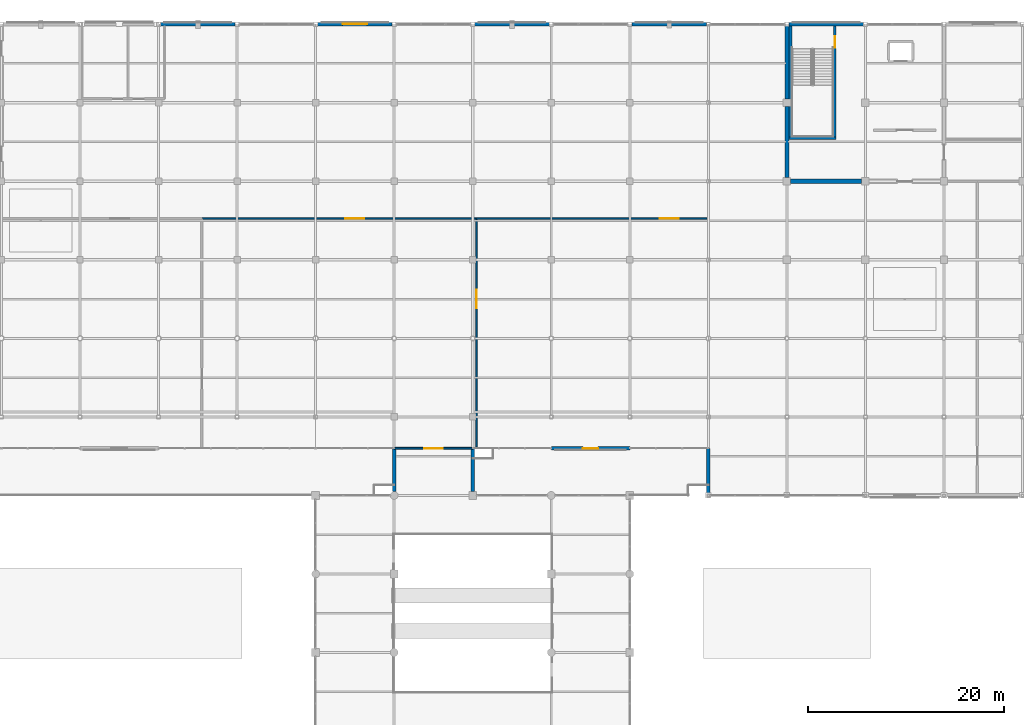
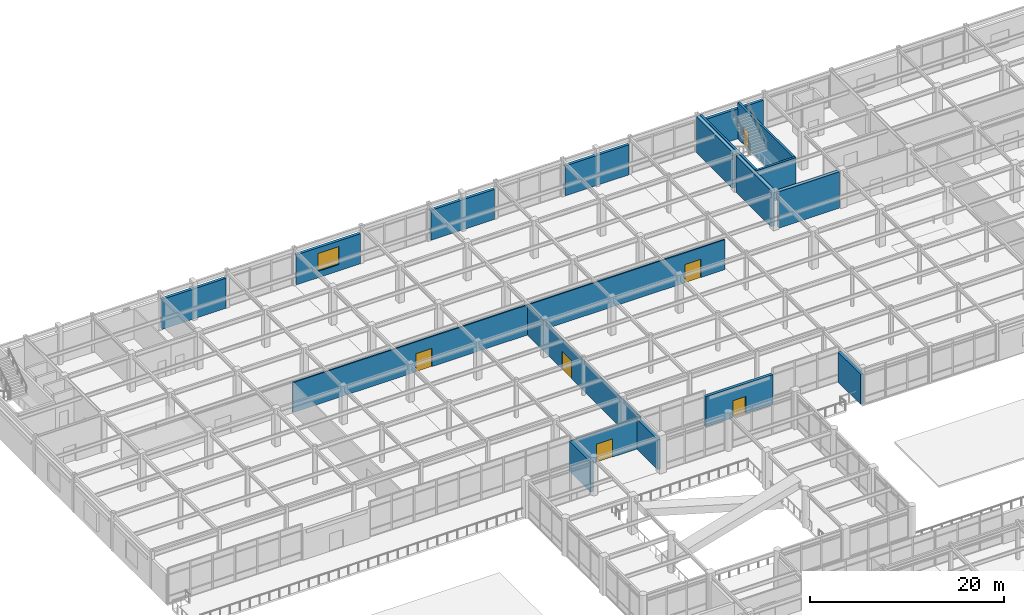
# One storey, part 94 of 117: 19 walls, 6 doors, 1 window, 7 openings.
"""IFC4 building model written with IfcOpenShell, lengths in metres."""

from ifc_helpers import new_model, si_unit, direction, frame, frame_2d, origin, place, context, subcontext, project, spatial, rectangle, extrude, material, layer, layer_set, type_object, element, fill, save


model = new_model("IFC4")

# Units and contexts
model_context = context("Model", 3, precision=1e-05, world=origin(), true_north=direction((0.0, 1.0)))
body_context = subcontext(model_context, "Body", "Model", "MODEL_VIEW")
ifc_project = project(units=[si_unit("LENGTHUNIT", "METRE"), si_unit("AREAUNIT", "SQUARE_METRE"), si_unit("VOLUMEUNIT", "CUBIC_METRE"), si_unit("PLANEANGLEUNIT", "RADIAN"), si_unit("MASSUNIT", "GRAM", prefix="KILO")], contexts=[model_context])

# Site, building, storey
site_placement = place(None, origin())
site = spatial("IfcSite", under=ifc_project, at=site_placement, CompositionType="ELEMENT")
building_placement = place(site_placement, origin())
building = spatial("IfcBuilding", under=site, at=building_placement, Name="Solmirada Galleria", CompositionType="ELEMENT")
storey_placement = place(building_placement, frame((0.0, 0.0, 5.60009765625)))
storey = spatial("IfcBuildingStorey", under=building, at=storey_placement, Name="L01", CompositionType="ELEMENT", Elevation=5.60009765625)

# Walls
ifc_material_1 = material(Name="Concrete C40/50", Category="concrete")
ifc_layer_1 = layer(ifc_material_1, 0.419921875)
ifc_layer_set_1 = layer_set([ifc_layer_1], Name="Concrete C40/50")
wall_type_1 = type_object("IfcWallType", Name="WL-CORE-420", PredefinedType="SHEAR", material=ifc_layer_set_1)
for number, where, z_axis, x_axis, name in (
    (1, (128.375, 104.0, 0.0), (0.0, 0.0, 1.0), (1.0, 0.0, 0.0), "Core C3 shear wall L01 S1"),
    (2, (128.0, 104.375, 0.0), (0.0, 0.0, 1.0), (0.0, 1.0, 0.0), "Core C3 shear wall L01 W1"),
):
    element("IfcWall", number, at=place(storey_placement, frame(where, z_axis=z_axis, x_axis=x_axis)), inside=storey, type_object=wall_type_1, Name=name, PredefinedType="SHEAR", context=body_context, shape_type="SweptSolid", body=[
        extrude(rectangle(XDim=7.25, YDim=0.419921875, at=frame_2d((3.625, 0.0))), origin(), (0.0, 0.0, 1.0), 4.579833984375),
    ])
wall_1_placement = place(storey_placement, frame((128.0, 112.375, 0.0), z_axis=(0.0, 0.0, 1.0), x_axis=(0.0, 1.0, 0.0)))
element("IfcWall", 3, at=wall_1_placement, inside=storey, type_object=wall_type_1, Name="Core C3 shear wall L01 W2", PredefinedType="SHEAR", context=body_context, shape_type="SweptSolid", body=[
    extrude(rectangle(XDim=7.422119140625, YDim=0.419921875, at=frame_2d((3.7109375, 0.0))), origin(), (0.0, 0.0, 1.0), 4.579833984375),
])
ifc_material_2 = material(Name="Precast concrete C40/50", Category="concrete")
ifc_layer_2 = layer(ifc_material_2, 0.340087890625)
ifc_layer_set_2 = layer_set([ifc_layer_2], Name="Precast concrete C40/50")
wall_type_2 = type_object("IfcWallType", Name="WL-EXT-340", PredefinedType="STANDARD", material=ifc_layer_set_2)
wall_2_placement = place(storey_placement, frame((88.0, 72.39990234375, 0.0), z_axis=(0.0, 0.0, 1.0), x_axis=(0.0, 1.0, 0.0)))
element("IfcWall", 4, at=wall_2_placement, inside=storey, type_object=wall_type_2, Name="Exterior wall L01 bay 009", PredefinedType="STANDARD", context=body_context, shape_type="SweptSolid", body=[
    extrude(rectangle(XDim=4.400146484375, YDim=0.340087890625, at=frame_2d((2.2001953125, 0.0))), origin(), (0.0, 0.0, 1.0), 3.77978515625),
])
wall_3_placement = place(storey_placement, frame((64.202880859375, 120.0, 0.0), z_axis=(0.0, 0.0, 1.0), x_axis=(1.0, 0.0, 0.0)))
element("IfcWall", 5, at=wall_3_placement, inside=storey, type_object=wall_type_2, Name="Exterior wall L01 bay 025", PredefinedType="STANDARD", context=body_context, shape_type="SweptSolid", body=[
    extrude(rectangle(XDim=7.59423828125, YDim=0.340087890625, at=frame_2d((3.797119140625, 0.0))), origin(), (0.0, 0.0, 1.0), 3.77978515625),
])

# Wall, opening, window
wall_4_placement = place(storey_placement, frame((80.202880859375, 120.0, 0.0), z_axis=(0.0, 0.0, 1.0), x_axis=(1.0, 0.0, 0.0)))
wall_4 = element("IfcWall", 6, at=wall_4_placement, inside=storey, type_object=wall_type_2, Name="Exterior wall L01 bay 027", PredefinedType="STANDARD", context=body_context, shape_type="SweptSolid", body=[
    extrude(rectangle(XDim=7.59423828125, YDim=0.340087890625, at=frame_2d((3.797119140625, 0.0))), origin(), (0.0, 0.0, 1.0), 3.77978515625),
])
opening_1_placement = place(wall_4_placement, frame((2.547119140625, 0.0, 0.800048828125)))
opening_1 = element("IfcOpeningElement", 7, at=opening_1_placement, cuts=wall_4, Name="Opening WN1", PredefinedType="OPENING", context=body_context, shape_type="SweptSolid", body=[
    extrude(rectangle(XDim=2.5, YDim=2.25, at=frame_2d((1.25, 1.125))), frame((0.0, 0.179931640625, 0.0), z_axis=(0.0, -1.0, 0.0), x_axis=(1.0, 0.0, 0.0)), (0.0, 0.0, 1.0), 0.360107421875),
])
ifc_material_3 = material(Name="Impact-resistant low-E double glazing", Category="glass")
window_type = type_object("IfcWindowType", Name="WIN-AVE-250X225", PartitioningType="DOUBLE_PANEL_VERTICAL", PredefinedType="WINDOW", material=ifc_material_3)
window_placement = place(opening_1_placement, origin())
window = element("IfcWindow", 8, at=window_placement, inside=storey, type_object=window_type, Name="Window L01-004", OverallHeight=2.25, OverallWidth=2.5, PartitioningType="DOUBLE_PANEL_VERTICAL", PredefinedType="WINDOW", context=body_context, shape_type="SweptSolid", body=[
    extrude(rectangle(XDim=2.5, YDim=2.25, at=frame_2d((1.25, 1.125))), frame((0.0, 0.030029296875, 0.0), z_axis=(0.0, -1.0, 0.0), x_axis=(1.0, 0.0, 0.0)), (0.0, 0.0, 1.0), 0.06005859375),
])
fill(opening_1, window)

# Walls
wall_5_placement = place(storey_placement, frame((96.202880859375, 120.0, 0.0), z_axis=(0.0, 0.0, 1.0), x_axis=(1.0, 0.0, 0.0)))
element("IfcWall", 9, at=wall_5_placement, inside=storey, type_object=wall_type_2, Name="Exterior wall L01 bay 029", PredefinedType="STANDARD", context=body_context, shape_type="SweptSolid", body=[
    extrude(rectangle(XDim=7.59423828125, YDim=0.340087890625, at=frame_2d((3.797119140625, 0.0))), origin(), (0.0, 0.0, 1.0), 3.77978515625),
])
wall_6_placement = place(storey_placement, frame((112.202880859375, 120.0, 0.0), z_axis=(0.0, 0.0, 1.0), x_axis=(1.0, 0.0, 0.0)))
element("IfcWall", 10, at=wall_6_placement, inside=storey, type_object=wall_type_2, Name="Exterior wall L01 bay 031", PredefinedType="STANDARD", context=body_context, shape_type="SweptSolid", body=[
    extrude(rectangle(XDim=7.619140625, YDim=0.340087890625, at=frame_2d((3.8095703125, 0.0))), origin(), (0.0, 0.0, 1.0), 3.77978515625),
])
wall_7_placement = place(storey_placement, frame((128.202880859375, 120.0, 0.0), z_axis=(0.0, 0.0, 1.0), x_axis=(1.0, 0.0, 0.0)))
element("IfcWall", 11, at=wall_7_placement, inside=storey, type_object=wall_type_2, Name="Exterior wall L01 bay 033", PredefinedType="STANDARD", context=body_context, shape_type="SweptSolid", body=[
    extrude(rectangle(XDim=7.59423828125, YDim=0.340087890625, at=frame_2d((3.797119140625, 0.0))), origin(), (0.0, 0.0, 1.0), 3.77978515625),
])
wall_8_placement = place(storey_placement, frame((120.0, 72.126953125, 0.0), z_axis=(0.0, 0.0, 1.0), x_axis=(0.0, 1.0, 0.0)))
element("IfcWall", 12, at=wall_8_placement, inside=storey, type_object=wall_type_2, Name="Exterior wall L01 bay 052", PredefinedType="STANDARD", context=body_context, shape_type="SweptSolid", body=[
    extrude(rectangle(XDim=4.673095703125, YDim=0.340087890625, at=frame_2d((2.33642578125, 0.0))), origin(), (0.0, 0.0, 1.0), 3.77978515625),
])

# Wall, opening, door
wall_9_placement = place(storey_placement, frame((112.0, 76.800048828125, 0.0), z_axis=(0.0, 0.0, 1.0), x_axis=(-1.0, 0.0, 0.0)))
wall_9 = element("IfcWall", 13, at=wall_9_placement, inside=storey, type_object=wall_type_2, Name="Exterior wall L01 bay 054", PredefinedType="STANDARD", context=body_context, shape_type="SweptSolid", body=[
    extrude(rectangle(XDim=8.0, YDim=0.340087890625, at=frame_2d((4.0, 0.0))), origin(), (0.0, 0.0, 1.0), 3.77978515625),
])
opening_2_placement = place(wall_9_placement, frame((3.22509765625, 0.0, 0.0)))
opening_2 = element("IfcOpeningElement", 14, at=opening_2_placement, cuts=wall_9, Name="Opening TD-058", PredefinedType="OPENING", context=body_context, shape_type="SweptSolid", body=[
    extrude(rectangle(XDim=1.550048828125, YDim=2.14990234375, at=frame_2d((0.77490234375, 1.074951171875))), frame((0.0, 0.179931640625, 0.0), z_axis=(0.0, -1.0, 0.0), x_axis=(1.0, 0.0, 0.0)), (0.0, 0.0, 1.0), 0.360107421875),
])
ifc_material_4 = material(Name="Thermally broken aluminium and laminated glass door", Category="aluminium")
door_type_1 = type_object("IfcDoorType", Name="DR-TERR-155X215", OperationType="DOUBLE_DOOR_SINGLE_SWING", PredefinedType="DOOR", material=ifc_material_4)
door_1_placement = place(opening_2_placement, origin())
door_1 = element("IfcDoor", 15, at=door_1_placement, inside=storey, type_object=door_type_1, Name="Planted terrace access door TD-058", OperationType="DOUBLE_DOOR_SINGLE_SWING", OverallHeight=2.14990234375, OverallWidth=1.550048828125, PredefinedType="DOOR", context=body_context, shape_type="SweptSolid", body=[
    extrude(rectangle(XDim=1.550048828125, YDim=2.14990234375, at=frame_2d((0.77490234375, 1.074951171875))), frame((0.0, 0.02490234375, 0.0), z_axis=(0.0, -1.0, 0.0), x_axis=(1.0, 0.0, 0.0)), (0.0, 0.0, 1.0), 0.050048828125),
])
fill(opening_2, door_1)

# Wall
wall_10_placement = place(storey_placement, frame((96.0, 76.800048828125, 0.0), z_axis=(0.0, 0.0, 1.0), x_axis=(0.0, -1.0, 0.0)))
element("IfcWall", 16, at=wall_10_placement, inside=storey, type_object=wall_type_2, Name="Exterior wall L01 bay 056", PredefinedType="STANDARD", context=body_context, shape_type="SweptSolid", body=[
    extrude(rectangle(XDim=4.400146484375, YDim=0.340087890625, at=frame_2d((2.2001953125, 0.0))), origin(), (0.0, 0.0, 1.0), 3.77978515625),
])

# Wall, opening, door
ifc_material_5 = material(Name="Acoustic gypsum board partition")
ifc_layer_3 = layer(ifc_material_5, 0.159912109375)
ifc_layer_set_3 = layer_set([ifc_layer_3], Name="Acoustic gypsum board partition")
wall_type_3 = type_object("IfcWallType", Name="WL-PART-160", PredefinedType="PARTITIONING", material=ifc_layer_set_3)
wall_11_placement = place(storey_placement, frame((68.39990234375, 100.199951171875, 0.0), z_axis=(0.0, 0.0, 1.0), x_axis=(1.0, 0.0, 0.0)))
wall_11 = element("IfcWall", 17, at=wall_11_placement, inside=storey, type_object=wall_type_3, Name="Partition L01-044 (North Promenade C L01)", PredefinedType="PARTITIONING", context=body_context, shape_type="SweptSolid", body=[
    extrude(rectangle(XDim=28.0, YDim=0.159912109375, at=frame_2d((14.0, 0.0))), origin(), (0.0, 0.0, 1.0), 3.77978515625),
])
opening_3_placement = place(wall_11_placement, frame((14.637939453125, 0.0, 0.0)))
opening_3 = element("IfcOpeningElement", 18, at=opening_3_placement, cuts=wall_11, Name="Opening ID-287", PredefinedType="OPENING", context=body_context, shape_type="SweptSolid", body=[
    extrude(rectangle(XDim=1.89990234375, YDim=2.300048828125, at=frame_2d((0.949951171875, 1.14990234375))), frame((0.0, 0.08984375, 0.0), z_axis=(0.0, -1.0, 0.0), x_axis=(1.0, 0.0, 0.0)), (0.0, 0.0, 1.0), 0.179931640625),
])
ifc_material_6 = material(Name="Architectural hardwood veneer door", Category="wood")
door_type_2 = type_object("IfcDoorType", Name="DR-DEPT-190X230", OperationType="DOUBLE_DOOR_SINGLE_SWING", PredefinedType="DOOR", material=ifc_material_6)
door_2_placement = place(opening_3_placement, origin())
door_2 = element("IfcDoor", 19, at=door_2_placement, inside=storey, type_object=door_type_2, Name="North Promenade C L01 door ID-287", OperationType="DOUBLE_DOOR_SINGLE_SWING", OverallHeight=2.300048828125, OverallWidth=1.89990234375, PredefinedType="DOOR", context=body_context, shape_type="SweptSolid", body=[
    extrude(rectangle(XDim=1.89990234375, YDim=2.300048828125, at=frame_2d((0.949951171875, 1.14990234375))), frame((0.0, 0.02490234375, 0.0), z_axis=(0.0, -1.0, 0.0), x_axis=(1.0, 0.0, 0.0)), (0.0, 0.0, 1.0), 0.050048828125),
])
fill(opening_3, door_2)

wall_12_placement = place(storey_placement, frame((96.39990234375, 100.199951171875, 0.0), z_axis=(0.0, 0.0, 1.0), x_axis=(1.0, 0.0, 0.0)))
wall_12 = element("IfcWall", 20, at=wall_12_placement, inside=storey, type_object=wall_type_3, Name="Partition L01-045 (North Promenade E L01)", PredefinedType="PARTITIONING", context=body_context, shape_type="SweptSolid", body=[
    extrude(rectangle(XDim=23.4501953125, YDim=0.159912109375, at=frame_2d((11.72509765625, 0.0))), origin(), (0.0, 0.0, 1.0), 3.77978515625),
])
opening_4_placement = place(wall_12_placement, frame((18.673095703125, 0.0, 0.0)))
opening_4 = element("IfcOpeningElement", 21, at=opening_4_placement, cuts=wall_12, Name="Opening ID-288", PredefinedType="OPENING", context=body_context, shape_type="SweptSolid", body=[
    extrude(rectangle(XDim=1.89990234375, YDim=2.300048828125, at=frame_2d((0.949951171875, 1.14990234375))), frame((0.0, 0.08984375, 0.0), z_axis=(0.0, -1.0, 0.0), x_axis=(1.0, 0.0, 0.0)), (0.0, 0.0, 1.0), 0.179931640625),
])
door_3_placement = place(opening_4_placement, origin())
door_3 = element("IfcDoor", 22, at=door_3_placement, inside=storey, type_object=door_type_2, Name="North Promenade E L01 door ID-288", OperationType="DOUBLE_DOOR_SINGLE_SWING", OverallHeight=2.300048828125, OverallWidth=1.89990234375, PredefinedType="DOOR", context=body_context, shape_type="SweptSolid", body=[
    extrude(rectangle(XDim=1.89990234375, YDim=2.300048828125, at=frame_2d((0.949951171875, 1.14990234375))), frame((0.0, 0.02490234375, 0.0), z_axis=(0.0, -1.0, 0.0), x_axis=(1.0, 0.0, 0.0)), (0.0, 0.0, 1.0), 0.050048828125),
])
fill(opening_4, door_3)

wall_13_placement = place(storey_placement, frame((96.39990234375, 76.949951171875, 0.0), z_axis=(0.0, 0.0, 1.0), x_axis=(0.0, 1.0, 0.0)))
wall_13 = element("IfcWall", 23, at=wall_13_placement, inside=storey, type_object=wall_type_3, Name="Partition L01-047 (North Department E L01)", PredefinedType="PARTITIONING", context=body_context, shape_type="SweptSolid", body=[
    extrude(rectangle(XDim=23.25, YDim=0.159912109375, at=frame_2d((11.625, 0.0))), origin(), (0.0, 0.0, 1.0), 3.77978515625),
])
opening_5_placement = place(wall_13_placement, frame((14.116943359375, 0.0, 0.0)))
opening_5 = element("IfcOpeningElement", 24, at=opening_5_placement, cuts=wall_13, Name="Opening ID-290", PredefinedType="OPENING", context=body_context, shape_type="SweptSolid", body=[
    extrude(rectangle(XDim=1.89990234375, YDim=2.300048828125, at=frame_2d((0.949951171875, 1.14990234375))), frame((0.0, 0.08984375, 0.0), z_axis=(0.0, -1.0, 0.0), x_axis=(1.0, 0.0, 0.0)), (0.0, 0.0, 1.0), 0.179931640625),
])
door_4_placement = place(opening_5_placement, origin())
door_4 = element("IfcDoor", 25, at=door_4_placement, inside=storey, type_object=door_type_2, Name="North Department E L01 door ID-290", OperationType="DOUBLE_DOOR_SINGLE_SWING", OverallHeight=2.300048828125, OverallWidth=1.89990234375, PredefinedType="DOOR", context=body_context, shape_type="SweptSolid", body=[
    extrude(rectangle(XDim=1.89990234375, YDim=2.300048828125, at=frame_2d((0.949951171875, 1.14990234375))), frame((0.0, 0.02490234375, 0.0), z_axis=(0.0, -1.0, 0.0), x_axis=(1.0, 0.0, 0.0)), (0.0, 0.0, 1.0), 0.050048828125),
])
fill(opening_5, door_4)

wall_14_placement = place(storey_placement, frame((88.0, 76.800048828125, 0.0), z_axis=(0.0, 0.0, 1.0), x_axis=(1.0, 0.0, 0.0)))
wall_14 = element("IfcWall", 26, at=wall_14_placement, inside=storey, type_object=wall_type_3, Name="Partition L01-048 (North Atrium Link L01)", PredefinedType="PARTITIONING", context=body_context, shape_type="SweptSolid", body=[
    extrude(rectangle(XDim=8.0, YDim=0.159912109375, at=frame_2d((4.0, 0.0))), origin(), (0.0, 0.0, 1.0), 3.77978515625),
])
opening_6_placement = place(wall_14_placement, frame((3.050048828125, 0.0, 0.0)))
opening_6 = element("IfcOpeningElement", 27, at=opening_6_placement, cuts=wall_14, Name="Opening ID-291", PredefinedType="OPENING", context=body_context, shape_type="SweptSolid", body=[
    extrude(rectangle(XDim=1.89990234375, YDim=2.300048828125, at=frame_2d((0.949951171875, 1.14990234375))), frame((0.0, 0.08984375, 0.0), z_axis=(0.0, -1.0, 0.0), x_axis=(1.0, 0.0, 0.0)), (0.0, 0.0, 1.0), 0.179931640625),
])
door_5_placement = place(opening_6_placement, origin())
door_5 = element("IfcDoor", 28, at=door_5_placement, inside=storey, type_object=door_type_2, Name="North Atrium Link L01 door ID-291", OperationType="DOUBLE_DOOR_SINGLE_SWING", OverallHeight=2.300048828125, OverallWidth=1.89990234375, PredefinedType="DOOR", context=body_context, shape_type="SweptSolid", body=[
    extrude(rectangle(XDim=1.89990234375, YDim=2.300048828125, at=frame_2d((0.949951171875, 1.14990234375))), frame((0.0, 0.02490234375, 0.0), z_axis=(0.0, -1.0, 0.0), x_axis=(1.0, 0.0, 0.0)), (0.0, 0.0, 1.0), 0.050048828125),
])
fill(opening_6, door_5)

# Walls
ifc_layer_4 = layer(ifc_material_1, 0.260009765625)
ifc_layer_set_4 = layer_set([ifc_layer_4], Name="Concrete C40/50")
wall_type_4 = type_object("IfcWallType", Name="WL-SHAFT-260", PredefinedType="SHEAR", material=ifc_layer_set_4)
wall_15_placement = place(storey_placement, frame((128.239990234375, 108.3701171875, 0.0), z_axis=(0.0, 0.0, 1.0), x_axis=(1.0, 0.0, 0.0)))
element("IfcWall", 29, at=wall_15_placement, inside=storey, type_object=wall_type_4, Name="Stair ST3 enclosure wall L01 S", PredefinedType="SHEAR", context=body_context, shape_type="SweptSolid", body=[
    extrude(rectangle(XDim=4.77001953125, YDim=0.260009765625, at=frame_2d((2.385009765625, 0.0))), origin(), (0.0, 0.0, 1.0), 4.579833984375),
])
wall_16_placement = place(storey_placement, frame((128.3701171875, 108.5, 0.0), z_axis=(0.0, 0.0, 1.0), x_axis=(0.0, 1.0, 0.0)))
element("IfcWall", 30, at=wall_16_placement, inside=storey, type_object=wall_type_4, Name="Stair ST3 enclosure wall L01 W", PredefinedType="SHEAR", context=body_context, shape_type="SweptSolid", body=[
    extrude(rectangle(XDim=11.35498046875, YDim=0.260009765625, at=frame_2d((5.677490234375, 0.0))), origin(), (0.0, 0.0, 1.0), 4.579833984375),
])

# Wall, opening, door
wall_17_placement = place(storey_placement, frame((132.8798828125, 108.5, 0.0), z_axis=(0.0, 0.0, 1.0), x_axis=(0.0, 1.0, 0.0)))
wall_17 = element("IfcWall", 31, at=wall_17_placement, inside=storey, type_object=wall_type_4, Name="Stair ST3 enclosure wall L01 E", PredefinedType="SHEAR", context=body_context, shape_type="SweptSolid", body=[
    extrude(rectangle(XDim=11.35498046875, YDim=0.260009765625, at=frame_2d((5.677490234375, 0.0))), origin(), (0.0, 0.0, 1.0), 4.579833984375),
])
opening_7_placement = place(wall_17_placement, frame((9.10009765625, 0.0, 0.0)))
opening_7 = element("IfcOpeningElement", 32, at=opening_7_placement, cuts=wall_17, Name="Opening SD-177", PredefinedType="OPENING", context=body_context, shape_type="SweptSolid", body=[
    extrude(rectangle(XDim=1.14990234375, YDim=2.14990234375, at=frame_2d((0.574951171875, 1.074951171875))), frame((0.0, 0.139892578125, 0.0), z_axis=(0.0, -1.0, 0.0), x_axis=(1.0, 0.0, 0.0)), (0.0, 0.0, 1.0), 0.280029296875),
])
ifc_material_7 = material(Name="Fire-rated painted steel door assembly", Category="steel")
door_type_3 = type_object("IfcDoorType", Name="DR-STAIR-115X215", OperationType="NOTDEFINED", PredefinedType="DOOR", material=ifc_material_7)
door_6_placement = place(opening_7_placement, origin())
door_6 = element("IfcDoor", 33, at=door_6_placement, inside=storey, type_object=door_type_3, Name="Exit stair ST3 enclosure fire door SD-177", OperationType="SINGLE_SWING_LEFT", OverallHeight=2.14990234375, OverallWidth=1.14990234375, PredefinedType="DOOR", context=body_context, shape_type="SweptSolid", body=[
    extrude(rectangle(XDim=1.14990234375, YDim=2.14990234375, at=frame_2d((0.574951171875, 1.074951171875))), frame((0.0, 0.02490234375, 0.0), z_axis=(0.0, -1.0, 0.0), x_axis=(1.0, 0.0, 0.0)), (0.0, 0.0, 1.0), 0.050048828125),
])
fill(opening_7, door_6)

save(model, "model.ifc")
